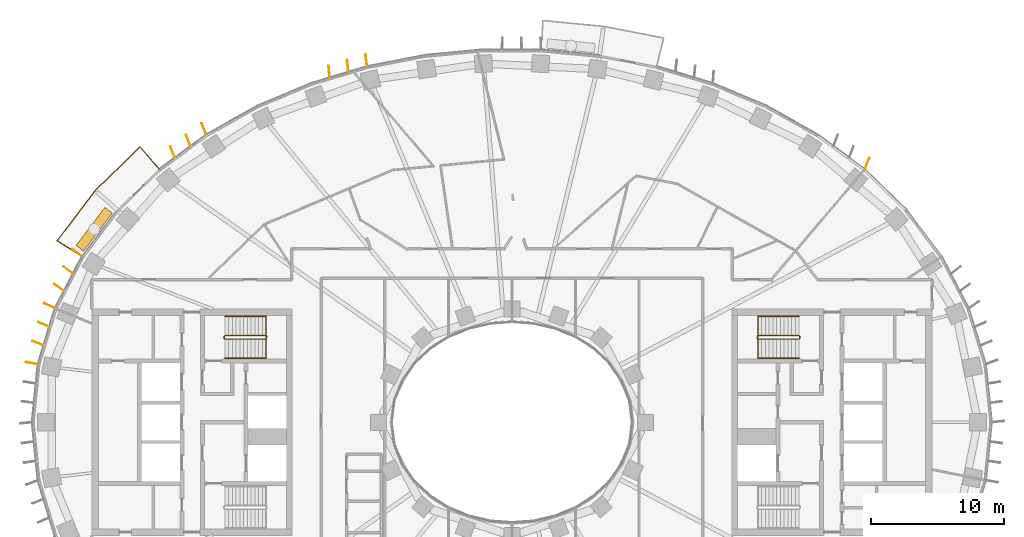
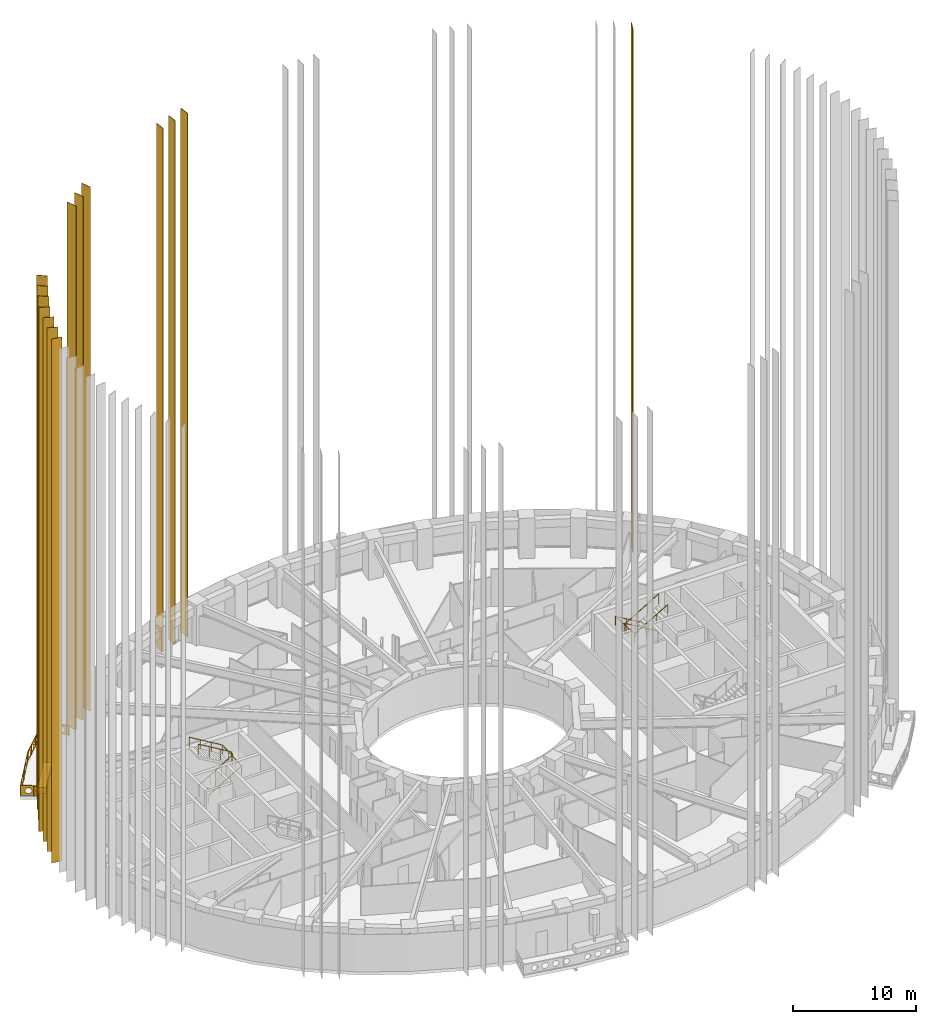
# One storey, part 17 of 20: 15 coverings, 5 railings.
"""IFC4 building model written with IfcOpenShell, lengths in metres."""

from ifc_helpers import new_model, si_unit, direction, frame, origin, origin_2d, place, context, subcontext, project, spatial, polyline, rectangle, outline, extrude, material, material_profile, profile_set, type_object, element, save


model = new_model("IFC4")

# Units and contexts
model_context = context("Model", 3, precision=1e-05, world=origin(), true_north=direction((0.0, 1.0)))
body_context = subcontext(model_context, "Body", "Model", "MODEL_VIEW")
ifc_project = project(units=[si_unit("LENGTHUNIT", "METRE"), si_unit("AREAUNIT", "SQUARE_METRE"), si_unit("VOLUMEUNIT", "CUBIC_METRE"), si_unit("PLANEANGLEUNIT", "RADIAN"), si_unit("MASSUNIT", "GRAM", prefix="KILO")], contexts=[model_context])

# Site, building, storey
site_placement = place(None, origin())
site = spatial("IfcSite", under=ifc_project, at=site_placement, CompositionType="ELEMENT")
building_placement = place(site_placement, origin())
building = spatial("IfcBuilding", under=site, at=building_placement, Name="Noorbagh Ring Tower", CompositionType="ELEMENT")
storey_placement = place(building_placement, frame((0.0, 0.0, 88.0)))
storey = spatial("IfcBuildingStorey", under=building, at=storey_placement, Name="L19", CompositionType="ELEMENT", Elevation=88.0)

# Railings
ifc_material_1 = material(Name="Stainless steel", Category="steel")
railing_type_1 = type_object("IfcRailingType", Name="CORE-STAIR-GUARD", PredefinedType="GUARDRAIL", material=ifc_material_1)
railing_1_placement = place(storey_placement, frame((-21.580078125, 6.300048828125, 0.0)))
element("IfcRailing", 1, at=railing_1_placement, inside=storey, type_object=railing_type_1, Name="L19 ST1 stair guard", PredefinedType="GUARDRAIL", context=body_context, shape_type="SweptSolid", body=[
    extrude(rectangle(XDim=0.048095703125, YDim=0.048095703125, at=origin_2d()), frame((0.0, 0.0, 1.076171875), z_axis=(0.0, 1.0, 0.0), x_axis=(-1.0, 0.0, 0.0)), (0.0, 0.0, 1.0), 0.14990234375),
    extrude(rectangle(XDim=0.048095703125, YDim=0.048095703125, at=origin_2d()), frame((0.0, 0.14990234375, 1.076171875), z_axis=(0.188775798145, -0.754182335027, 0.628945707965), x_axis=(0.970072785993, 0.242814311512, 0.0)), (0.0, 0.0, 1.0), 0.26513671875),
    extrude(rectangle(XDim=0.048095703125, YDim=0.048095703125, at=origin_2d()), frame((0.050048828125, -0.050048828125, 1.24267578125), z_axis=(0.859308565015, 0.0, 0.511457515432), x_axis=(0.0, 1.0, 0.0)), (0.0, 0.0, 1.0), 3.58447265625),
    extrude(rectangle(XDim=0.048095703125, YDim=0.048095703125, at=origin_2d()), frame((3.130126953125, -0.050048828125, 3.076171875), z_axis=(0.707106781187, 0.707106781187, 0.0), x_axis=(-0.707106781187, 0.707106781187, 0.0)), (0.0, 0.0, 1.0), 0.07080078125),
    extrude(rectangle(XDim=0.048095703125, YDim=0.048095703125, at=origin_2d()), frame((3.18017578125, 0.0, 3.076171875), z_axis=(0.0, 1.0, 0.0), x_axis=(-1.0, 0.0, 0.0)), (0.0, 0.0, 1.0), 0.14990234375),
    extrude(rectangle(XDim=0.048095703125, YDim=0.048095703125, at=origin_2d()), frame((3.18017578125, 0.14990234375, 3.076171875), z_axis=(-0.27628659633, 0.27628659633, 0.920506074601), x_axis=(-0.707106781187, -0.707106781187, 0.0)), (0.0, 0.0, 1.0), 0.18115234375),
    extrude(rectangle(XDim=0.048095703125, YDim=0.048095703125, at=origin_2d()), frame((3.130126953125, 0.199951171875, 3.24267578125), z_axis=(-0.859308565015, 0.0, 0.511457515432), x_axis=(0.0, -1.0, 0.0)), (0.0, 0.0, 1.0), 3.58447265625),
    extrude(rectangle(XDim=0.0419921875, YDim=0.0419921875, at=origin_2d()), origin(), (0.0, 0.0, 1.0), 1.052001953125),
    extrude(rectangle(XDim=0.0419921875, YDim=0.0419921875, at=origin_2d()), frame((1.07666015625, -0.050048828125, 0.77783203125)), (0.0, 0.0, 1.0), 1.052001953125),
    extrude(rectangle(XDim=0.0419921875, YDim=0.0419921875, at=origin_2d()), frame((2.103515625, -0.050048828125, 1.388916015625)), (0.0, 0.0, 1.0), 1.052001953125),
    extrude(rectangle(XDim=0.0419921875, YDim=0.0419921875, at=origin_2d()), frame((3.130126953125, -0.050048828125, 2.0)), (0.0, 0.0, 1.0), 1.052001953125),
    extrude(rectangle(XDim=0.0419921875, YDim=0.0419921875, at=origin_2d()), frame((3.130126953125, 0.199951171875, 2.166748046875)), (0.0, 0.0, 1.0), 1.052001953125),
    extrude(rectangle(XDim=0.0419921875, YDim=0.0419921875, at=origin_2d()), frame((2.103515625, 0.199951171875, 2.77783203125)), (0.0, 0.0, 1.0), 1.052001953125),
    extrude(rectangle(XDim=0.0419921875, YDim=0.0419921875, at=origin_2d()), frame((1.07666015625, 0.199951171875, 3.388916015625)), (0.0, 0.0, 1.0), 1.052001953125),
    extrude(rectangle(XDim=0.0419921875, YDim=0.0419921875, at=origin_2d()), frame((0.050048828125, 0.199951171875, 4.0)), (0.0, 0.0, 1.0), 1.052001953125),
])
railing_2_placement = place(storey_placement, frame((21.580078125, 6.449951171875, 0.0)))
element("IfcRailing", 2, at=railing_2_placement, inside=storey, type_object=railing_type_1, Name="L19 ST3 stair guard", PredefinedType="GUARDRAIL", context=body_context, shape_type="SweptSolid", body=[
    extrude(rectangle(XDim=0.048095703125, YDim=0.048095703125, at=origin_2d()), frame((0.0, 0.0, 1.076171875), z_axis=(0.0, -1.0, 0.0), x_axis=(1.0, 0.0, 0.0)), (0.0, 0.0, 1.0), 0.14990234375),
    extrude(rectangle(XDim=0.048095703125, YDim=0.048095703125, at=origin_2d()), frame((0.0, -0.14990234375, 1.076171875), z_axis=(-0.188775798145, 0.754182335027, 0.628945707965), x_axis=(-0.970072785993, -0.242814311512, 0.0)), (0.0, 0.0, 1.0), 0.26513671875),
    extrude(rectangle(XDim=0.048095703125, YDim=0.048095703125, at=origin_2d()), frame((-0.050048828125, 0.050048828125, 1.24267578125), z_axis=(-0.859308565015, 0.0, 0.511457515432), x_axis=(0.0, -1.0, 0.0)), (0.0, 0.0, 1.0), 3.58447265625),
    extrude(rectangle(XDim=0.048095703125, YDim=0.048095703125, at=origin_2d()), frame((-3.130126953125, 0.050048828125, 3.076171875), z_axis=(-0.707106781187, -0.707106781187, 0.0), x_axis=(0.707106781187, -0.707106781187, 0.0)), (0.0, 0.0, 1.0), 0.07080078125),
    extrude(rectangle(XDim=0.048095703125, YDim=0.048095703125, at=origin_2d()), frame((-3.18017578125, 0.0, 3.076171875), z_axis=(0.0, -1.0, 0.0), x_axis=(1.0, 0.0, 0.0)), (0.0, 0.0, 1.0), 0.14990234375),
    extrude(rectangle(XDim=0.048095703125, YDim=0.048095703125, at=origin_2d()), frame((-3.18017578125, -0.14990234375, 3.076171875), z_axis=(0.27628659633, -0.27628659633, 0.920506074601), x_axis=(0.707106781187, 0.707106781187, 0.0)), (0.0, 0.0, 1.0), 0.18115234375),
    extrude(rectangle(XDim=0.048095703125, YDim=0.048095703125, at=origin_2d()), frame((-3.130126953125, -0.199951171875, 3.24267578125), z_axis=(0.859308565015, 0.0, 0.511457515432), x_axis=(0.0, 1.0, 0.0)), (0.0, 0.0, 1.0), 3.58447265625),
    extrude(rectangle(XDim=0.0419921875, YDim=0.0419921875, at=origin_2d()), origin(), (0.0, 0.0, 1.0), 1.052001953125),
    extrude(rectangle(XDim=0.0419921875, YDim=0.0419921875, at=origin_2d()), frame((-1.07666015625, 0.050048828125, 0.77783203125)), (0.0, 0.0, 1.0), 1.052001953125),
    extrude(rectangle(XDim=0.0419921875, YDim=0.0419921875, at=origin_2d()), frame((-2.103515625, 0.050048828125, 1.388916015625)), (0.0, 0.0, 1.0), 1.052001953125),
    extrude(rectangle(XDim=0.0419921875, YDim=0.0419921875, at=origin_2d()), frame((-3.130126953125, 0.050048828125, 2.0)), (0.0, 0.0, 1.0), 1.052001953125),
    extrude(rectangle(XDim=0.0419921875, YDim=0.0419921875, at=origin_2d()), frame((-3.130126953125, -0.199951171875, 2.166748046875)), (0.0, 0.0, 1.0), 1.052001953125),
    extrude(rectangle(XDim=0.0419921875, YDim=0.0419921875, at=origin_2d()), frame((-2.103515625, -0.199951171875, 2.77783203125)), (0.0, 0.0, 1.0), 1.052001953125),
    extrude(rectangle(XDim=0.0419921875, YDim=0.0419921875, at=origin_2d()), frame((-1.07666015625, -0.199951171875, 3.388916015625)), (0.0, 0.0, 1.0), 1.052001953125),
    extrude(rectangle(XDim=0.0419921875, YDim=0.0419921875, at=origin_2d()), frame((-0.050048828125, -0.199951171875, 4.0)), (0.0, 0.0, 1.0), 1.052001953125),
])
ifc_material_2 = material(Name="Stainless steel", Category="steel")
railing_type_2 = type_object("IfcRailingType", Name="CORE-STAIR-HANDRAIL", PredefinedType="HANDRAIL", material=ifc_material_2)
railing_3_placement = place(storey_placement, frame((-21.530029296875, 4.800048828125, 0.166748046875)))
element("IfcRailing", 3, at=railing_3_placement, inside=storey, type_object=railing_type_2, Name="L19 ST1 stair handrail", PredefinedType="HANDRAIL", context=body_context, shape_type="SweptSolid", body=[
    extrude(rectangle(XDim=0.048095703125, YDim=0.048095703125, at=origin_2d()), frame((0.0, 0.0, 0.8759765625), z_axis=(0.859308565015, 0.0, 0.511457515432), x_axis=(0.0, 1.0, 0.0)), (0.0, 0.0, 1.0), 3.58447265625),
    extrude(rectangle(XDim=0.048095703125, YDim=0.048095703125, at=origin_2d()), frame((3.080078125, 0.0, 2.708984375), z_axis=(0.0, 0.998601747152, 0.052863509014), x_axis=(-1.0, 0.0, 0.0)), (0.0, 0.0, 1.0), 3.154296875),
    extrude(rectangle(XDim=0.048095703125, YDim=0.048095703125, at=origin_2d()), frame((3.080078125, 3.14990234375, 2.8759765625), z_axis=(-0.859308565015, 0.0, 0.511457515432), x_axis=(0.0, -1.0, 0.0)), (0.0, 0.0, 1.0), 3.58447265625),
    extrude(rectangle(XDim=0.0419921875, YDim=0.0419921875, at=origin_2d()), origin(), (0.0, 0.0, 1.0), 0.851806640625),
    extrude(rectangle(XDim=0.0419921875, YDim=0.0419921875, at=origin_2d()), frame((1.026611328125, 0.0, 0.611083984375)), (0.0, 0.0, 1.0), 0.851806640625),
    extrude(rectangle(XDim=0.0419921875, YDim=0.0419921875, at=origin_2d()), frame((2.053466796875, 0.0, 1.22216796875)), (0.0, 0.0, 1.0), 0.851806640625),
    extrude(rectangle(XDim=0.0419921875, YDim=0.0419921875, at=origin_2d()), frame((3.080078125, 0.0, 1.833251953125)), (0.0, 0.0, 1.0), 0.851806640625),
    extrude(rectangle(XDim=0.0419921875, YDim=0.0419921875, at=origin_2d()), frame((3.080078125, 1.050048828125, 1.888916015625)), (0.0, 0.0, 1.0), 0.851806640625),
    extrude(rectangle(XDim=0.0419921875, YDim=0.0419921875, at=origin_2d()), frame((3.080078125, 2.099853515625, 1.9443359375)), (0.0, 0.0, 1.0), 0.851806640625),
    extrude(rectangle(XDim=0.0419921875, YDim=0.0419921875, at=origin_2d()), frame((3.080078125, 3.14990234375, 2.0)), (0.0, 0.0, 1.0), 0.851806640625),
    extrude(rectangle(XDim=0.0419921875, YDim=0.0419921875, at=origin_2d()), frame((2.053466796875, 3.14990234375, 2.611083984375)), (0.0, 0.0, 1.0), 0.851806640625),
    extrude(rectangle(XDim=0.0419921875, YDim=0.0419921875, at=origin_2d()), frame((1.026611328125, 3.14990234375, 3.22216796875)), (0.0, 0.0, 1.0), 0.851806640625),
    extrude(rectangle(XDim=0.0419921875, YDim=0.0419921875, at=origin_2d()), frame((0.0, 3.14990234375, 3.833251953125)), (0.0, 0.0, 1.0), 0.851806640625),
])
railing_4_placement = place(storey_placement, frame((21.530029296875, 7.949951171875, 0.166748046875)))
element("IfcRailing", 4, at=railing_4_placement, inside=storey, type_object=railing_type_2, Name="L19 ST3 stair handrail", PredefinedType="HANDRAIL", context=body_context, shape_type="SweptSolid", body=[
    extrude(rectangle(XDim=0.048095703125, YDim=0.048095703125, at=origin_2d()), frame((0.0, 0.0, 0.8759765625), z_axis=(-0.859308565015, 0.0, 0.511457515432), x_axis=(0.0, -1.0, 0.0)), (0.0, 0.0, 1.0), 3.58447265625),
    extrude(rectangle(XDim=0.048095703125, YDim=0.048095703125, at=origin_2d()), frame((-3.080078125, 0.0, 2.708984375), z_axis=(0.0, -0.998601747152, 0.052863509014), x_axis=(1.0, 0.0, 0.0)), (0.0, 0.0, 1.0), 3.154296875),
    extrude(rectangle(XDim=0.048095703125, YDim=0.048095703125, at=origin_2d()), frame((-3.080078125, -3.14990234375, 2.8759765625), z_axis=(0.859308565015, 0.0, 0.511457515432), x_axis=(0.0, 1.0, 0.0)), (0.0, 0.0, 1.0), 3.58447265625),
    extrude(rectangle(XDim=0.0419921875, YDim=0.0419921875, at=origin_2d()), origin(), (0.0, 0.0, 1.0), 0.851806640625),
    extrude(rectangle(XDim=0.0419921875, YDim=0.0419921875, at=origin_2d()), frame((-1.026611328125, 0.0, 0.611083984375)), (0.0, 0.0, 1.0), 0.851806640625),
    extrude(rectangle(XDim=0.0419921875, YDim=0.0419921875, at=origin_2d()), frame((-2.053466796875, 0.0, 1.22216796875)), (0.0, 0.0, 1.0), 0.851806640625),
    extrude(rectangle(XDim=0.0419921875, YDim=0.0419921875, at=origin_2d()), frame((-3.080078125, 0.0, 1.833251953125)), (0.0, 0.0, 1.0), 0.851806640625),
    extrude(rectangle(XDim=0.0419921875, YDim=0.0419921875, at=origin_2d()), frame((-3.080078125, -1.050048828125, 1.888916015625)), (0.0, 0.0, 1.0), 0.851806640625),
    extrude(rectangle(XDim=0.0419921875, YDim=0.0419921875, at=origin_2d()), frame((-3.080078125, -2.099853515625, 1.9443359375)), (0.0, 0.0, 1.0), 0.851806640625),
    extrude(rectangle(XDim=0.0419921875, YDim=0.0419921875, at=origin_2d()), frame((-3.080078125, -3.14990234375, 2.0)), (0.0, 0.0, 1.0), 0.851806640625),
    extrude(rectangle(XDim=0.0419921875, YDim=0.0419921875, at=origin_2d()), frame((-2.053466796875, -3.14990234375, 2.611083984375)), (0.0, 0.0, 1.0), 0.851806640625),
    extrude(rectangle(XDim=0.0419921875, YDim=0.0419921875, at=origin_2d()), frame((-1.026611328125, -3.14990234375, 3.22216796875)), (0.0, 0.0, 1.0), 0.851806640625),
    extrude(rectangle(XDim=0.0419921875, YDim=0.0419921875, at=origin_2d()), frame((0.0, -3.14990234375, 3.833251953125)), (0.0, 0.0, 1.0), 0.851806640625),
])

# Coverings
ifc_material_3 = material(Name="Aluminium 6063-T6 black anodised", Category="aluminium")
ifc_material_profile = material_profile(ifc_material_3, rectangle(XDim=0.89990234375, YDim=0.050048828125, at=origin_2d()), Name="900x50")
ifc_profile_set = profile_set([ifc_material_profile], Name="Aluminium 6063-T6 black anodised")
covering_type_1 = type_object("IfcCoveringType", Name="ENV-FIN", PredefinedType="CLADDING", material=ifc_profile_set)
for number, where, z_axis, x_axis, name in (
    (5, (26.633544921875, 19.406982421875, -0.284912109375), (0.0, 0.0, 1.0), (0.36956351025, 0.929205473451, 0.0), "Fin F06 1 L19-L31"),
    (6, (-10.923583984375, 27.14501953125, -0.284912109375), (0.0, 0.0, 1.0), (-0.126759493419, 0.99193348105, 0.0), "Fin F15 1 L19-L31"),
    (7, (-12.31591796875, 26.72509765625, -0.284912109375), (0.0, 0.0, 1.0), (-0.109101232004, 0.994030643982, 0.0), "Fin F15 2 L19-L31"),
    (8, (-13.708740234375, 26.304931640625, -0.284912109375), (0.0, 0.0, 1.0), (-0.092918421481, 0.995673725148, 0.0), "Fin F15 3 L19-L31"),
    (9, (-23.100830078125, 22.00830078125, -0.284912109375), (0.0, 0.0, 1.0), (-0.365038143381, 0.930992563814, 0.0), "Fin F18 1 L19-L31"),
    (10, (-24.277587890625, 21.1416015625, -0.284912109375), (0.0, 0.0, 1.0), (-0.364533046139, 0.931190452202, 0.0), "Fin F18 2 L19-L31"),
    (11, (-25.455078125, 20.2744140625, -0.284912109375), (0.0, 0.0, 1.0), (-0.366046969104, 0.930596376745, 0.0), "Fin F18 3 L19-L31"),
    (12, (-32.612060546875, 12.71728515625, -0.284912109375), (0.0, 0.0, 1.0), (-0.782643528987, 0.622470165176, 0.0), "Fin F21 1 L19-L31"),
    (13, (-33.291748046875, 11.415771484375, -0.284912109375), (0.0, 0.0, 1.0), (-0.793137535147, 0.609042568579, 0.0), "Fin F21 2 L19-L31"),
    (14, (-33.9716796875, 10.113525390625, -0.284912109375), (0.0, 0.0, 1.0), (-0.804260303023, 0.59427717858, 0.0), "Fin F21 3 L19-L31"),
    (15, (-34.693359375, 8.738525390625, -0.284912109375), (0.0, 0.0, 1.0), (-0.907911558545, 0.419161784827, 0.0), "Fin F22 1 L19-L31"),
    (16, (-35.123291015625, 7.3330078125, -0.284912109375), (0.0, 0.0, 1.0), (-0.916474909008, 0.40009216583, 0.0), "Fin F22 2 L19-L31"),
    (17, (-35.553466796875, 5.92724609375, -0.284912109375), (0.0, 0.0, 1.0), (-0.925000661941, 0.379965492392, 0.0), "Fin F22 3 L19-L31"),
    (18, (-36.0068359375, 4.435546875, -0.284912109375), (0.0, 0.0, 1.0), (-0.985418628789, 0.170147365642, 0.0), "Fin F23 1 L19-L31"),
):
    element("IfcCovering", number, at=place(storey_placement, frame(where, z_axis=z_axis, x_axis=x_axis)), inside=storey, type_object=covering_type_1, Name=name, ObjectType="FIN", PredefinedType="CLADDING", context=body_context, shape_type="SweptSolid", body=[
        extrude(rectangle(XDim=0.89990234375, YDim=0.050048828125, at=origin_2d()), origin(), (0.0, 0.0, 1.0), 51.969970703125),
    ])

# Railing
ifc_material_4 = material(Name="Steel S275 black powder-coated", Category="steel")
railing_type_3 = type_object("IfcRailingType", Name="ENV-GUARD", PredefinedType="GUARDRAIL", material=ifc_material_4)
railing_5_placement = place(storey_placement, frame((-26.463134765625, 18.983154296875, 0.0)))
element("IfcRailing", 19, at=railing_5_placement, inside=storey, type_object=railing_type_3, Name="Balcony guard BN06", PredefinedType="GUARDRAIL", context=body_context, shape_type="SweptSolid", body=[
    extrude(rectangle(XDim=0.048095703125, YDim=0.048095703125, at=origin_2d()), frame((0.0, 0.0, 1.076171875), z_axis=(-0.646413574048, 0.762987215677, 0.0), x_axis=(-0.762987215677, -0.646413574048, 0.0)), (0.0, 0.0, 1.0), 2.205322265625),
    extrude(rectangle(XDim=0.048095703125, YDim=0.048095703125, at=origin_2d()), frame((-1.425537109375, 1.6826171875, 1.076171875), z_axis=(-0.717212632946, -0.696854388766, 0.0), x_axis=(0.696854388766, -0.717212632946, 0.0)), (0.0, 0.0, 1.0), 4.700927734375),
    extrude(rectangle(XDim=0.048095703125, YDim=0.048095703125, at=origin_2d()), frame((-4.797119140625, -1.59326171875, 1.076171875), z_axis=(-0.604001613322, -0.796983093362, 0.0), x_axis=(0.796983093362, -0.604001613322, 0.0)), (0.0, 0.0, 1.0), 4.7353515625),
    extrude(rectangle(XDim=0.048095703125, YDim=0.048095703125, at=origin_2d()), frame((-7.6572265625, -5.3671875, 1.076171875), z_axis=(0.844852397829, -0.534999463442, 0.0), x_axis=(0.534999463442, 0.844852397829, 0.0)), (0.0, 0.0, 1.0), 2.207763671875),
    extrude(rectangle(XDim=0.0419921875, YDim=0.0419921875, at=origin_2d()), origin(), (0.0, 0.0, 1.0), 1.052001953125),
    extrude(rectangle(XDim=0.0419921875, YDim=0.0419921875, at=origin_2d()), frame((-0.712890625, 0.84130859375, 0.0)), (0.0, 0.0, 1.0), 1.052001953125),
    extrude(rectangle(XDim=0.0419921875, YDim=0.0419921875, at=origin_2d()), frame((-1.425537109375, 1.6826171875, 0.0)), (0.0, 0.0, 1.0), 1.052001953125),
    extrude(rectangle(XDim=0.0419921875, YDim=0.0419921875, at=origin_2d()), frame((-2.2685546875, 0.86376953125, 0.0)), (0.0, 0.0, 1.0), 1.052001953125),
    extrude(rectangle(XDim=0.0419921875, YDim=0.0419921875, at=origin_2d()), frame((-3.111328125, 0.044677734375, 0.0)), (0.0, 0.0, 1.0), 1.052001953125),
    extrude(rectangle(XDim=0.0419921875, YDim=0.0419921875, at=origin_2d()), frame((-3.9541015625, -0.7744140625, 0.0)), (0.0, 0.0, 1.0), 1.052001953125),
    extrude(rectangle(XDim=0.0419921875, YDim=0.0419921875, at=origin_2d()), frame((-4.797119140625, -1.59326171875, 0.0)), (0.0, 0.0, 1.0), 1.052001953125),
    extrude(rectangle(XDim=0.0419921875, YDim=0.0419921875, at=origin_2d()), frame((-5.51220703125, -2.53662109375, 0.0)), (0.0, 0.0, 1.0), 1.052001953125),
    extrude(rectangle(XDim=0.0419921875, YDim=0.0419921875, at=origin_2d()), frame((-6.22705078125, -3.480224609375, 0.0)), (0.0, 0.0, 1.0), 1.052001953125),
    extrude(rectangle(XDim=0.0419921875, YDim=0.0419921875, at=origin_2d()), frame((-6.942138671875, -4.423828125, 0.0)), (0.0, 0.0, 1.0), 1.052001953125),
    extrude(rectangle(XDim=0.0419921875, YDim=0.0419921875, at=origin_2d()), frame((-7.6572265625, -5.3671875, 0.0)), (0.0, 0.0, 1.0), 1.052001953125),
    extrude(rectangle(XDim=0.0419921875, YDim=0.0419921875, at=origin_2d()), frame((-6.724609375, -5.957763671875, 0.0)), (0.0, 0.0, 1.0), 1.052001953125),
    extrude(rectangle(XDim=0.0419921875, YDim=0.0419921875, at=origin_2d()), frame((-5.7919921875, -6.54833984375, 0.0)), (0.0, 0.0, 1.0), 1.052001953125),
    extrude(outline(polyline([(0.0, 0.10009765625), (2.205322265625, 0.10009765625), (2.205322265625, 1.031982421875), (0.0, 1.031982421875), (0.0, 0.10009765625)]), holes=[polyline([(0.962646484375, 0.56591796875), (0.8076171875, 0.83447265625), (0.49755859375, 0.83447265625), (0.342529296875, 0.56591796875), (0.49755859375, 0.297607421875), (0.8076171875, 0.297607421875), (0.962646484375, 0.56591796875)]), polyline([(1.862548828125, 0.56591796875), (1.707763671875, 0.83447265625), (1.397705078125, 0.83447265625), (1.24267578125, 0.56591796875), (1.397705078125, 0.297607421875), (1.707763671875, 0.297607421875), (1.862548828125, 0.56591796875)])]), frame((-0.007568359375, -0.00634765625, 0.0), z_axis=(0.762987215677, 0.646413574048, 0.0), x_axis=(-0.646413574048, 0.762987215677, 0.0)), (0.0, 0.0, 1.0), 0.02001953125),
    extrude(outline(polyline([(0.0, 0.10009765625), (4.700927734375, 0.10009765625), (4.700927734375, 1.031982421875), (0.0, 1.031982421875), (0.0, 0.10009765625)]), holes=[polyline([(0.860595703125, 0.56591796875), (0.70556640625, 0.83447265625), (0.3955078125, 0.83447265625), (0.240478515625, 0.56591796875), (0.3955078125, 0.297607421875), (0.70556640625, 0.297607421875), (0.860595703125, 0.56591796875)]), polyline([(1.760498046875, 0.56591796875), (1.60546875, 0.83447265625), (1.29541015625, 0.83447265625), (1.140380859375, 0.56591796875), (1.29541015625, 0.297607421875), (1.60546875, 0.297607421875), (1.760498046875, 0.56591796875)]), polyline([(2.660400390625, 0.56591796875), (2.50537109375, 0.83447265625), (2.195556640625, 0.83447265625), (2.04052734375, 0.56591796875), (2.195556640625, 0.297607421875), (2.50537109375, 0.297607421875), (2.660400390625, 0.56591796875)]), polyline([(3.560546875, 0.56591796875), (3.405517578125, 0.83447265625), (3.095458984375, 0.83447265625), (2.9404296875, 0.56591796875), (3.095458984375, 0.297607421875), (3.405517578125, 0.297607421875), (3.560546875, 0.56591796875)]), polyline([(4.46044921875, 0.56591796875), (4.305419921875, 0.83447265625), (3.995361328125, 0.83447265625), (3.840576171875, 0.56591796875), (3.995361328125, 0.297607421875), (4.305419921875, 0.297607421875), (4.46044921875, 0.56591796875)])]), frame((-1.41845703125, 1.675537109375, 0.0), z_axis=(-0.696854388766, 0.717212632946, 0.0), x_axis=(-0.717212632946, -0.696854388766, 0.0)), (0.0, 0.0, 1.0), 0.02001953125),
    extrude(outline(polyline([(0.0, 0.10009765625), (4.7353515625, 0.10009765625), (4.7353515625, 1.031982421875), (0.0, 1.031982421875), (0.0, 0.10009765625)]), holes=[polyline([(0.877685546875, 0.56591796875), (0.72265625, 0.83447265625), (0.41259765625, 0.83447265625), (0.257568359375, 0.56591796875), (0.41259765625, 0.297607421875), (0.72265625, 0.297607421875), (0.877685546875, 0.56591796875)]), polyline([(1.777587890625, 0.56591796875), (1.62255859375, 0.83447265625), (1.312744140625, 0.83447265625), (1.15771484375, 0.56591796875), (1.312744140625, 0.297607421875), (1.62255859375, 0.297607421875), (1.777587890625, 0.56591796875)]), polyline([(2.677734375, 0.56591796875), (2.522705078125, 0.83447265625), (2.212646484375, 0.83447265625), (2.0576171875, 0.56591796875), (2.212646484375, 0.297607421875), (2.522705078125, 0.297607421875), (2.677734375, 0.56591796875)]), polyline([(3.57763671875, 0.56591796875), (3.422607421875, 0.83447265625), (3.112548828125, 0.83447265625), (2.95751953125, 0.56591796875), (3.112548828125, 0.297607421875), (3.422607421875, 0.297607421875), (3.57763671875, 0.56591796875)]), polyline([(4.4775390625, 0.56591796875), (4.32275390625, 0.83447265625), (4.0126953125, 0.83447265625), (3.857666015625, 0.56591796875), (4.0126953125, 0.297607421875), (4.32275390625, 0.297607421875), (4.4775390625, 0.56591796875)])]), frame((-4.7890625, -1.599365234375, 0.0), z_axis=(-0.796983093362, 0.604001613322, 0.0), x_axis=(-0.604001613322, -0.796983093362, 0.0)), (0.0, 0.0, 1.0), 0.02001953125),
    extrude(outline(polyline([(0.0, 0.10009765625), (2.207763671875, 0.10009765625), (2.207763671875, 1.031982421875), (0.0, 1.031982421875), (0.0, 0.10009765625)]), holes=[polyline([(0.9638671875, 0.56591796875), (0.808837890625, 0.83447265625), (0.498779296875, 0.83447265625), (0.343994140625, 0.56591796875), (0.498779296875, 0.297607421875), (0.808837890625, 0.297607421875), (0.9638671875, 0.56591796875)]), polyline([(1.86376953125, 0.56591796875), (1.708984375, 0.83447265625), (1.39892578125, 0.83447265625), (1.243896484375, 0.56591796875), (1.39892578125, 0.297607421875), (1.708984375, 0.297607421875), (1.86376953125, 0.56591796875)])]), frame((-7.65185546875, -5.358642578125, 0.0), z_axis=(-0.534999463442, -0.844852397829, 0.0), x_axis=(0.844852397829, -0.534999463442, 0.0)), (0.0, 0.0, 1.0), 0.02001953125),
])

# Covering
ifc_material_5 = material(Name="Concrete C30/37 planter with soil", Category="concrete")
covering_type_2 = type_object("IfcCoveringType", Name="ENV-PLANTER", PredefinedType="CLADDING", material=ifc_material_5)
covering_placement = place(storey_placement, frame((-31.329833984375, 14.4833984375, 0.0), z_axis=(0.0, 0.0, 1.0), x_axis=(-0.604020184358, -0.796969018776, 0.0)))
element("IfcCovering", 20, at=covering_placement, inside=storey, type_object=covering_type_2, Name="PLANTER BN06", ObjectType="PLANTER", PredefinedType="CLADDING", context=body_context, shape_type="SweptSolid", body=[
    extrude(rectangle(XDim=3.583251953125, YDim=0.699951171875, at=origin_2d()), origin(), (0.0, 0.0, 1.0), 0.60009765625),
])

save(model, "model.ifc")
